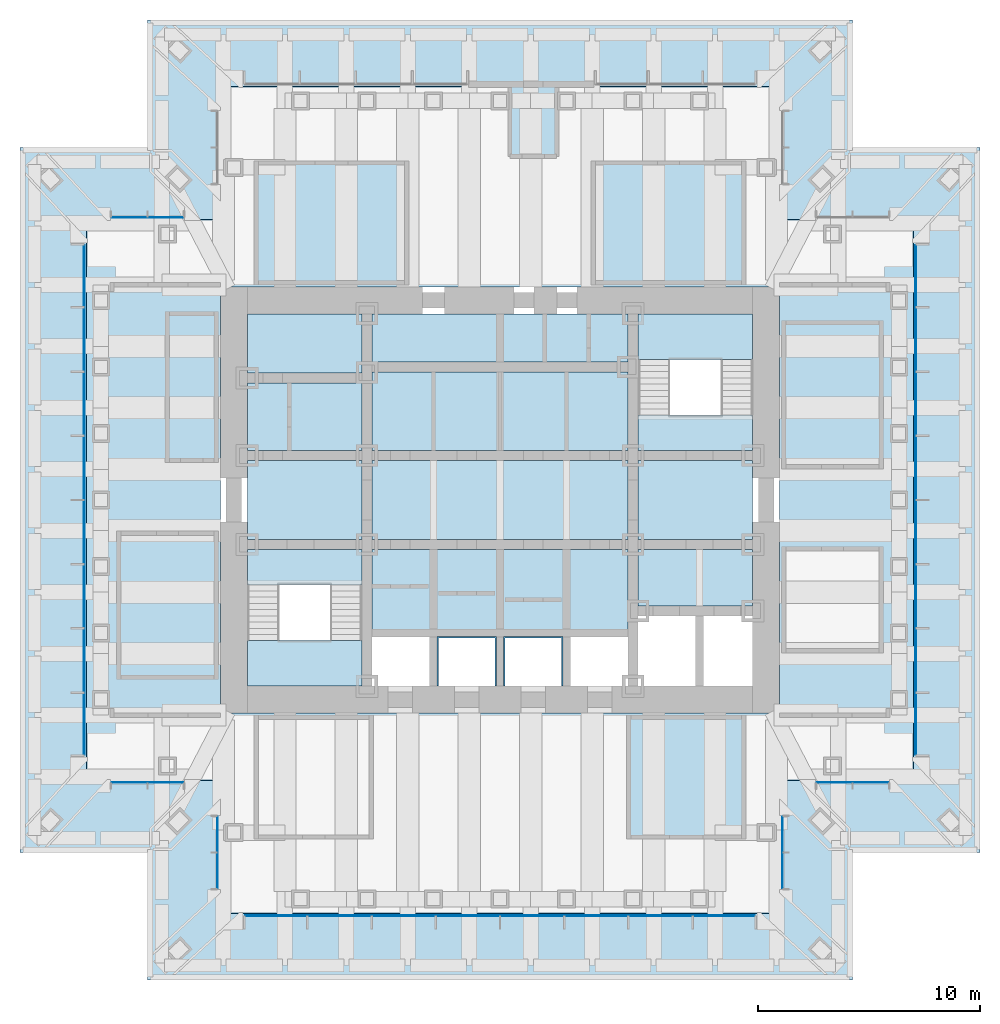
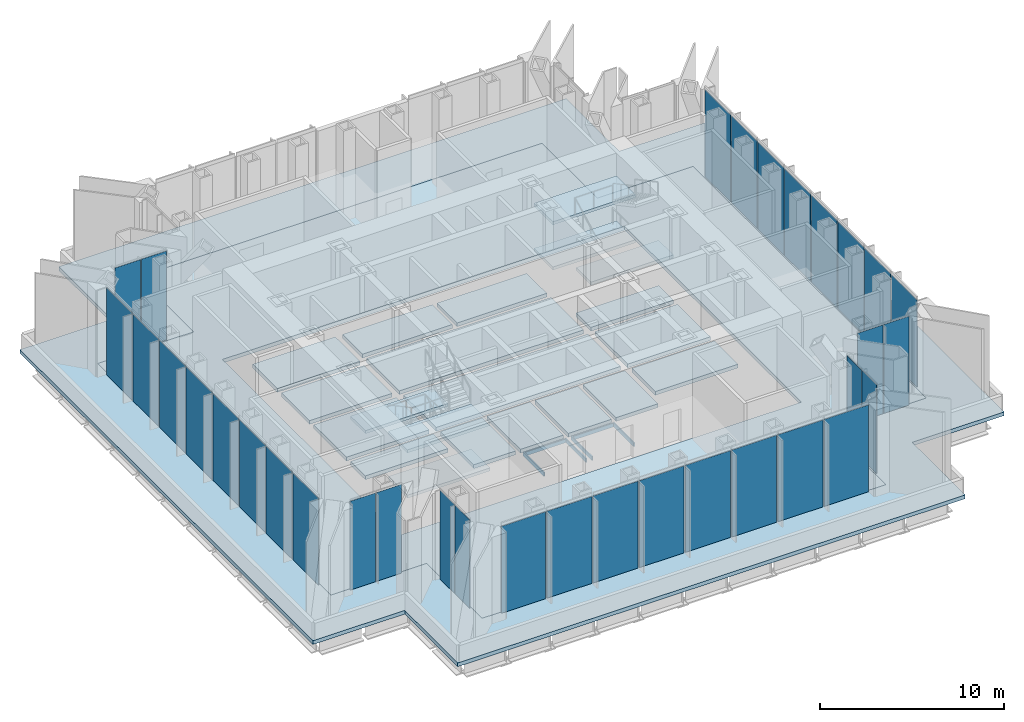
# One storey, part 7 of 13: 34 plates, 25 slabs, 10 elements without a shape of their own.
"""IFC4 building model written with IfcOpenShell, lengths in metres."""

from ifc_helpers import new_model, si_unit, direction, frame, origin, origin_2d, place, context, subcontext, project, spatial, polyline, rectangle, outline, extrude, material, layer, layer_set, type_object, element, aggregate, save


model = new_model("IFC4")

# Units and contexts
model_context = context("Model", 3, precision=1e-05, world=origin(), true_north=direction((0.0, 1.0)))
body_context = subcontext(model_context, "Body", "Model", "MODEL_VIEW")
ifc_project = project(units=[si_unit("LENGTHUNIT", "METRE"), si_unit("AREAUNIT", "SQUARE_METRE"), si_unit("VOLUMEUNIT", "CUBIC_METRE"), si_unit("PLANEANGLEUNIT", "RADIAN"), si_unit("MASSUNIT", "GRAM", prefix="KILO")], contexts=[model_context])

# Site, building, storey
site_placement = place(None, origin())
site = spatial("IfcSite", under=ifc_project, at=site_placement, CompositionType="ELEMENT")
building_placement = place(site_placement, origin())
building = spatial("IfcBuilding", under=site, at=building_placement, Name="Daluyong Arena Tower", CompositionType="ELEMENT")
storey_placement = place(building_placement, frame((0.0, 0.0, 279.699951171875)))
storey = spatial("IfcBuildingStorey", under=building, at=storey_placement, Name="L63", CompositionType="ELEMENT", Elevation=279.699951171875)

# Curtain wall, plates
ifc_material_1 = material(Name="Bronze anodised aluminium and glass", Category="aluminium")
curtain_wall_type_1 = type_object("IfcCurtainWallType", Name="Curtain wall CW5", PredefinedType="USERDEFINED", material=ifc_material_1)
curtain_wall_1_placement = place(storey_placement, origin())
curtain_wall_1 = element("IfcCurtainWall", 1, at=curtain_wall_1_placement, inside=storey, type_object=curtain_wall_type_1, Name="curtain wall L63 S", ObjectType="UNITISED CURTAIN WALL", PredefinedType="USERDEFINED")
ifc_material_2 = material(Name="Clear laminated double glazed unit", Category="glass")
ifc_layer_1 = layer(ifc_material_2, 0.0400390625)
ifc_layer_set_1 = layer_set([ifc_layer_1], Name="Clear laminated double glazed unit")
plate_type_1 = type_object("IfcPlateType", Name="CW5 panel 40", PredefinedType="CURTAIN_PANEL", material=ifc_layer_set_1)
plate_1_placement = place(storey_placement, frame((45.88525390625, 61.25, 0.0), z_axis=(0.0, 0.0, 1.0), x_axis=(1.0, 0.0, 0.0)))
plate_1 = element("IfcPlate", 2, at=plate_1_placement, type_object=plate_type_1, Name="curtain wall L63 S panel 1", PredefinedType="CURTAIN_PANEL", context=body_context, shape_type="SweptSolid", body=[
    extrude(rectangle(XDim=2.761474609375, YDim=0.0400390625, at=origin_2d()), origin(), (0.0, 0.0, 1.0), 5.760009765625),
])
plate_2_placement = place(storey_placement, frame((48.759033203125, 61.25, 0.0), z_axis=(0.0, 0.0, 1.0), x_axis=(1.0, 0.0, 0.0)))
plate_2 = element("IfcPlate", 3, at=plate_2_placement, type_object=plate_type_1, Name="curtain wall L63 S panel 2", PredefinedType="CURTAIN_PANEL", context=body_context, shape_type="SweptSolid", body=[
    extrude(rectangle(XDim=2.806396484375, YDim=0.0400390625, at=origin_2d()), origin(), (0.0, 0.0, 1.0), 5.760009765625),
])
plate_3_placement = place(storey_placement, frame((51.655517578125, 61.25, 0.0), z_axis=(0.0, 0.0, 1.0), x_axis=(1.0, 0.0, 0.0)))
plate_3 = element("IfcPlate", 4, at=plate_3_placement, type_object=plate_type_1, Name="curtain wall L63 S panel 3", PredefinedType="CURTAIN_PANEL", context=body_context, shape_type="SweptSolid", body=[
    extrude(rectangle(XDim=2.806396484375, YDim=0.0400390625, at=origin_2d()), origin(), (0.0, 0.0, 1.0), 5.760009765625),
])
plate_4_placement = place(storey_placement, frame((54.5517578125, 61.25, 0.0), z_axis=(0.0, 0.0, 1.0), x_axis=(1.0, 0.0, 0.0)))
plate_4 = element("IfcPlate", 5, at=plate_4_placement, type_object=plate_type_1, Name="curtain wall L63 S panel 4", PredefinedType="CURTAIN_PANEL", context=body_context, shape_type="SweptSolid", body=[
    extrude(rectangle(XDim=2.806396484375, YDim=0.0400390625, at=origin_2d()), origin(), (0.0, 0.0, 1.0), 5.760009765625),
])
plate_5_placement = place(storey_placement, frame((57.4482421875, 61.25, 0.0), z_axis=(0.0, 0.0, 1.0), x_axis=(1.0, 0.0, 0.0)))
plate_5 = element("IfcPlate", 6, at=plate_5_placement, type_object=plate_type_1, Name="curtain wall L63 S panel 5", PredefinedType="CURTAIN_PANEL", context=body_context, shape_type="SweptSolid", body=[
    extrude(rectangle(XDim=2.806396484375, YDim=0.0400390625, at=origin_2d()), origin(), (0.0, 0.0, 1.0), 5.760009765625),
])
plate_6_placement = place(storey_placement, frame((60.344482421875, 61.25, 0.0), z_axis=(0.0, 0.0, 1.0), x_axis=(1.0, 0.0, 0.0)))
plate_6 = element("IfcPlate", 7, at=plate_6_placement, type_object=plate_type_1, Name="curtain wall L63 S panel 6", PredefinedType="CURTAIN_PANEL", context=body_context, shape_type="SweptSolid", body=[
    extrude(rectangle(XDim=2.806396484375, YDim=0.0400390625, at=origin_2d()), origin(), (0.0, 0.0, 1.0), 5.760009765625),
])
plate_7_placement = place(storey_placement, frame((63.240966796875, 61.25, 0.0), z_axis=(0.0, 0.0, 1.0), x_axis=(1.0, 0.0, 0.0)))
plate_7 = element("IfcPlate", 8, at=plate_7_placement, type_object=plate_type_1, Name="curtain wall L63 S panel 7", PredefinedType="CURTAIN_PANEL", context=body_context, shape_type="SweptSolid", body=[
    extrude(rectangle(XDim=2.806396484375, YDim=0.0400390625, at=origin_2d()), origin(), (0.0, 0.0, 1.0), 5.760009765625),
])
plate_8_placement = place(storey_placement, frame((66.11474609375, 61.25, 0.0), z_axis=(0.0, 0.0, 1.0), x_axis=(1.0, 0.0, 0.0)))
plate_8 = element("IfcPlate", 9, at=plate_8_placement, type_object=plate_type_1, Name="curtain wall L63 S panel 8", PredefinedType="CURTAIN_PANEL", context=body_context, shape_type="SweptSolid", body=[
    extrude(rectangle(XDim=2.761474609375, YDim=0.0400390625, at=origin_2d()), origin(), (0.0, 0.0, 1.0), 5.760009765625),
])
aggregate(curtain_wall_1, [plate_1, plate_2, plate_3, plate_4, plate_5, plate_6, plate_7, plate_8])

curtain_wall_2_placement = place(storey_placement, origin())
curtain_wall_2 = element("IfcCurtainWall", 10, at=curtain_wall_2_placement, inside=storey, type_object=curtain_wall_type_1, Name="curtain wall L63 E", ObjectType="UNITISED CURTAIN WALL", PredefinedType="USERDEFINED")
plate_9_placement = place(storey_placement, frame((74.75, 69.88525390625, 0.0), z_axis=(0.0, 0.0, 1.0), x_axis=(0.0, 1.0, 0.0)))
plate_9 = element("IfcPlate", 11, at=plate_9_placement, type_object=plate_type_1, Name="curtain wall L63 E panel 1", PredefinedType="CURTAIN_PANEL", context=body_context, shape_type="SweptSolid", body=[
    extrude(rectangle(XDim=2.761474609375, YDim=0.0400390625, at=origin_2d()), origin(), (0.0, 0.0, 1.0), 5.760009765625),
])
plate_10_placement = place(storey_placement, frame((74.75, 72.759033203125, 0.0), z_axis=(0.0, 0.0, 1.0), x_axis=(0.0, 1.0, 0.0)))
plate_10 = element("IfcPlate", 12, at=plate_10_placement, type_object=plate_type_1, Name="curtain wall L63 E panel 2", PredefinedType="CURTAIN_PANEL", context=body_context, shape_type="SweptSolid", body=[
    extrude(rectangle(XDim=2.806396484375, YDim=0.0400390625, at=origin_2d()), origin(), (0.0, 0.0, 1.0), 5.760009765625),
])
plate_11_placement = place(storey_placement, frame((74.75, 75.655517578125, 0.0), z_axis=(0.0, 0.0, 1.0), x_axis=(0.0, 1.0, 0.0)))
plate_11 = element("IfcPlate", 13, at=plate_11_placement, type_object=plate_type_1, Name="curtain wall L63 E panel 3", PredefinedType="CURTAIN_PANEL", context=body_context, shape_type="SweptSolid", body=[
    extrude(rectangle(XDim=2.806396484375, YDim=0.0400390625, at=origin_2d()), origin(), (0.0, 0.0, 1.0), 5.760009765625),
])
plate_12_placement = place(storey_placement, frame((74.75, 78.5517578125, 0.0), z_axis=(0.0, 0.0, 1.0), x_axis=(0.0, 1.0, 0.0)))
plate_12 = element("IfcPlate", 14, at=plate_12_placement, type_object=plate_type_1, Name="curtain wall L63 E panel 4", PredefinedType="CURTAIN_PANEL", context=body_context, shape_type="SweptSolid", body=[
    extrude(rectangle(XDim=2.806396484375, YDim=0.0400390625, at=origin_2d()), origin(), (0.0, 0.0, 1.0), 5.760009765625),
])
plate_13_placement = place(storey_placement, frame((74.75, 81.4482421875, 0.0), z_axis=(0.0, 0.0, 1.0), x_axis=(0.0, 1.0, 0.0)))
plate_13 = element("IfcPlate", 15, at=plate_13_placement, type_object=plate_type_1, Name="curtain wall L63 E panel 5", PredefinedType="CURTAIN_PANEL", context=body_context, shape_type="SweptSolid", body=[
    extrude(rectangle(XDim=2.806396484375, YDim=0.0400390625, at=origin_2d()), origin(), (0.0, 0.0, 1.0), 5.760009765625),
])
plate_14_placement = place(storey_placement, frame((74.75, 84.344482421875, 0.0), z_axis=(0.0, 0.0, 1.0), x_axis=(0.0, 1.0, 0.0)))
plate_14 = element("IfcPlate", 16, at=plate_14_placement, type_object=plate_type_1, Name="curtain wall L63 E panel 6", PredefinedType="CURTAIN_PANEL", context=body_context, shape_type="SweptSolid", body=[
    extrude(rectangle(XDim=2.806396484375, YDim=0.0400390625, at=origin_2d()), origin(), (0.0, 0.0, 1.0), 5.760009765625),
])
plate_15_placement = place(storey_placement, frame((74.75, 87.240966796875, 0.0), z_axis=(0.0, 0.0, 1.0), x_axis=(0.0, 1.0, 0.0)))
plate_15 = element("IfcPlate", 17, at=plate_15_placement, type_object=plate_type_1, Name="curtain wall L63 E panel 7", PredefinedType="CURTAIN_PANEL", context=body_context, shape_type="SweptSolid", body=[
    extrude(rectangle(XDim=2.806396484375, YDim=0.0400390625, at=origin_2d()), origin(), (0.0, 0.0, 1.0), 5.760009765625),
])
plate_16_placement = place(storey_placement, frame((74.75, 90.11474609375, 0.0), z_axis=(0.0, 0.0, 1.0), x_axis=(0.0, 1.0, 0.0)))
plate_16 = element("IfcPlate", 18, at=plate_16_placement, type_object=plate_type_1, Name="curtain wall L63 E panel 8", PredefinedType="CURTAIN_PANEL", context=body_context, shape_type="SweptSolid", body=[
    extrude(rectangle(XDim=2.761474609375, YDim=0.0400390625, at=origin_2d()), origin(), (0.0, 0.0, 1.0), 5.760009765625),
])
aggregate(curtain_wall_2, [plate_9, plate_10, plate_11, plate_12, plate_13, plate_14, plate_15, plate_16])

curtain_wall_3_placement = place(storey_placement, origin())
curtain_wall_3 = element("IfcCurtainWall", 19, at=curtain_wall_3_placement, inside=storey, type_object=curtain_wall_type_1, Name="curtain wall L63 W", ObjectType="UNITISED CURTAIN WALL", PredefinedType="USERDEFINED")
plate_17_placement = place(storey_placement, frame((37.25, 90.11474609375, 0.0), z_axis=(0.0, 0.0, 1.0), x_axis=(0.0, -1.0, 0.0)))
plate_17 = element("IfcPlate", 20, at=plate_17_placement, type_object=plate_type_1, Name="curtain wall L63 W panel 1", PredefinedType="CURTAIN_PANEL", context=body_context, shape_type="SweptSolid", body=[
    extrude(rectangle(XDim=2.761474609375, YDim=0.0400390625, at=origin_2d()), origin(), (0.0, 0.0, 1.0), 5.760009765625),
])
plate_18_placement = place(storey_placement, frame((37.25, 87.240966796875, 0.0), z_axis=(0.0, 0.0, 1.0), x_axis=(0.0, -1.0, 0.0)))
plate_18 = element("IfcPlate", 21, at=plate_18_placement, type_object=plate_type_1, Name="curtain wall L63 W panel 2", PredefinedType="CURTAIN_PANEL", context=body_context, shape_type="SweptSolid", body=[
    extrude(rectangle(XDim=2.806396484375, YDim=0.0400390625, at=origin_2d()), origin(), (0.0, 0.0, 1.0), 5.760009765625),
])
plate_19_placement = place(storey_placement, frame((37.25, 84.344482421875, 0.0), z_axis=(0.0, 0.0, 1.0), x_axis=(0.0, -1.0, 0.0)))
plate_19 = element("IfcPlate", 22, at=plate_19_placement, type_object=plate_type_1, Name="curtain wall L63 W panel 3", PredefinedType="CURTAIN_PANEL", context=body_context, shape_type="SweptSolid", body=[
    extrude(rectangle(XDim=2.806396484375, YDim=0.0400390625, at=origin_2d()), origin(), (0.0, 0.0, 1.0), 5.760009765625),
])
plate_20_placement = place(storey_placement, frame((37.25, 81.4482421875, 0.0), z_axis=(0.0, 0.0, 1.0), x_axis=(0.0, -1.0, 0.0)))
plate_20 = element("IfcPlate", 23, at=plate_20_placement, type_object=plate_type_1, Name="curtain wall L63 W panel 4", PredefinedType="CURTAIN_PANEL", context=body_context, shape_type="SweptSolid", body=[
    extrude(rectangle(XDim=2.806396484375, YDim=0.0400390625, at=origin_2d()), origin(), (0.0, 0.0, 1.0), 5.760009765625),
])
plate_21_placement = place(storey_placement, frame((37.25, 78.5517578125, 0.0), z_axis=(0.0, 0.0, 1.0), x_axis=(0.0, -1.0, 0.0)))
plate_21 = element("IfcPlate", 24, at=plate_21_placement, type_object=plate_type_1, Name="curtain wall L63 W panel 5", PredefinedType="CURTAIN_PANEL", context=body_context, shape_type="SweptSolid", body=[
    extrude(rectangle(XDim=2.806396484375, YDim=0.0400390625, at=origin_2d()), origin(), (0.0, 0.0, 1.0), 5.760009765625),
])
plate_22_placement = place(storey_placement, frame((37.25, 75.655517578125, 0.0), z_axis=(0.0, 0.0, 1.0), x_axis=(0.0, -1.0, 0.0)))
plate_22 = element("IfcPlate", 25, at=plate_22_placement, type_object=plate_type_1, Name="curtain wall L63 W panel 6", PredefinedType="CURTAIN_PANEL", context=body_context, shape_type="SweptSolid", body=[
    extrude(rectangle(XDim=2.806396484375, YDim=0.0400390625, at=origin_2d()), origin(), (0.0, 0.0, 1.0), 5.760009765625),
])
plate_23_placement = place(storey_placement, frame((37.25, 72.759033203125, 0.0), z_axis=(0.0, 0.0, 1.0), x_axis=(0.0, -1.0, 0.0)))
plate_23 = element("IfcPlate", 26, at=plate_23_placement, type_object=plate_type_1, Name="curtain wall L63 W panel 7", PredefinedType="CURTAIN_PANEL", context=body_context, shape_type="SweptSolid", body=[
    extrude(rectangle(XDim=2.806396484375, YDim=0.0400390625, at=origin_2d()), origin(), (0.0, 0.0, 1.0), 5.760009765625),
])
plate_24_placement = place(storey_placement, frame((37.25, 69.88525390625, 0.0), z_axis=(0.0, 0.0, 1.0), x_axis=(0.0, -1.0, 0.0)))
plate_24 = element("IfcPlate", 27, at=plate_24_placement, type_object=plate_type_1, Name="curtain wall L63 W panel 8", PredefinedType="CURTAIN_PANEL", context=body_context, shape_type="SweptSolid", body=[
    extrude(rectangle(XDim=2.761474609375, YDim=0.0400390625, at=origin_2d()), origin(), (0.0, 0.0, 1.0), 5.760009765625),
])
aggregate(curtain_wall_3, [plate_17, plate_18, plate_19, plate_20, plate_21, plate_22, plate_23, plate_24])

ifc_material_3 = material(Name="Bronze anodised aluminium and glass", Category="aluminium")
curtain_wall_type_2 = type_object("IfcCurtainWallType", Name="Curtain wall CW7", PredefinedType="USERDEFINED", material=ifc_material_3)
curtain_wall_4_placement = place(storey_placement, origin())
curtain_wall_4 = element("IfcCurtainWall", 28, at=curtain_wall_4_placement, inside=storey, type_object=curtain_wall_type_2, Name="curtain wall L63 SE-E", ObjectType="UNITISED CURTAIN WALL", PredefinedType="USERDEFINED")
ifc_material_4 = material(Name="Tinted double glazed unit", Category="glass")
ifc_layer_2 = layer(ifc_material_4, 0.028076171875)
ifc_layer_set_2 = layer_set([ifc_layer_2], Name="Tinted double glazed unit")
plate_type_2 = type_object("IfcPlateType", Name="CW7 panel 28", PredefinedType="CURTAIN_PANEL", material=ifc_layer_set_2)
plate_25_placement = place(storey_placement, frame((68.75, 63.281494140625, 0.0), z_axis=(0.0, 0.0, 1.0), x_axis=(0.0, 1.0, 0.0)))
plate_25 = element("IfcPlate", 29, at=plate_25_placement, type_object=plate_type_2, Name="curtain wall L63 SE-E panel 1", PredefinedType="CURTAIN_PANEL", context=body_context, shape_type="SweptSolid", body=[
    extrude(rectangle(XDim=1.584228515625, YDim=0.028076171875, at=origin_2d()), origin(), (0.0, 0.0, 1.0), 5.8798828125),
])
plate_26_placement = place(storey_placement, frame((68.75, 64.92578125, 0.0), z_axis=(0.0, 0.0, 1.0), x_axis=(0.0, 1.0, 0.0)))
plate_26 = element("IfcPlate", 30, at=plate_26_placement, type_object=plate_type_2, Name="curtain wall L63 SE-E panel 2", PredefinedType="CURTAIN_PANEL", context=body_context, shape_type="SweptSolid", body=[
    extrude(rectangle(XDim=1.584228515625, YDim=0.028076171875, at=origin_2d()), origin(), (0.0, 0.0, 1.0), 5.8798828125),
])
aggregate(curtain_wall_4, [plate_25, plate_26])

curtain_wall_5_placement = place(storey_placement, origin())
curtain_wall_5 = element("IfcCurtainWall", 31, at=curtain_wall_5_placement, inside=storey, type_object=curtain_wall_type_2, Name="curtain wall L63 SE-S", ObjectType="UNITISED CURTAIN WALL", PredefinedType="USERDEFINED")
plate_27_placement = place(storey_placement, frame((71.07421875, 67.25, 0.0), z_axis=(0.0, 0.0, 1.0), x_axis=(1.0, 0.0, 0.0)))
plate_27 = element("IfcPlate", 32, at=plate_27_placement, type_object=plate_type_2, Name="curtain wall L63 SE-S panel 1", PredefinedType="CURTAIN_PANEL", context=body_context, shape_type="SweptSolid", body=[
    extrude(rectangle(XDim=1.584228515625, YDim=0.028076171875, at=origin_2d()), origin(), (0.0, 0.0, 1.0), 5.8798828125),
])
plate_28_placement = place(storey_placement, frame((72.718505859375, 67.25, 0.0), z_axis=(0.0, 0.0, 1.0), x_axis=(1.0, 0.0, 0.0)))
plate_28 = element("IfcPlate", 33, at=plate_28_placement, type_object=plate_type_2, Name="curtain wall L63 SE-S panel 2", PredefinedType="CURTAIN_PANEL", context=body_context, shape_type="SweptSolid", body=[
    extrude(rectangle(XDim=1.584228515625, YDim=0.028076171875, at=origin_2d()), origin(), (0.0, 0.0, 1.0), 5.8798828125),
])
aggregate(curtain_wall_5, [plate_27, plate_28])

curtain_wall_6_placement = place(storey_placement, origin())
curtain_wall_6 = element("IfcCurtainWall", 34, at=curtain_wall_6_placement, inside=storey, type_object=curtain_wall_type_2, Name="curtain wall L63 NW-N", ObjectType="UNITISED CURTAIN WALL", PredefinedType="USERDEFINED")
plate_29_placement = place(storey_placement, frame((40.92578125, 92.75, 0.0), z_axis=(0.0, 0.0, 1.0), x_axis=(-1.0, 0.0, 0.0)))
plate_29 = element("IfcPlate", 35, at=plate_29_placement, type_object=plate_type_2, Name="curtain wall L63 NW-N panel 1", PredefinedType="CURTAIN_PANEL", context=body_context, shape_type="SweptSolid", body=[
    extrude(rectangle(XDim=1.584228515625, YDim=0.028076171875, at=origin_2d()), origin(), (0.0, 0.0, 1.0), 5.8798828125),
])
plate_30_placement = place(storey_placement, frame((39.281494140625, 92.75, 0.0), z_axis=(0.0, 0.0, 1.0), x_axis=(-1.0, 0.0, 0.0)))
plate_30 = element("IfcPlate", 36, at=plate_30_placement, type_object=plate_type_2, Name="curtain wall L63 NW-N panel 2", PredefinedType="CURTAIN_PANEL", context=body_context, shape_type="SweptSolid", body=[
    extrude(rectangle(XDim=1.584228515625, YDim=0.028076171875, at=origin_2d()), origin(), (0.0, 0.0, 1.0), 5.8798828125),
])
aggregate(curtain_wall_6, [plate_29, plate_30])

curtain_wall_7_placement = place(storey_placement, origin())
curtain_wall_7 = element("IfcCurtainWall", 37, at=curtain_wall_7_placement, inside=storey, type_object=curtain_wall_type_2, Name="curtain wall L63 SW-S", ObjectType="UNITISED CURTAIN WALL", PredefinedType="USERDEFINED")
plate_31_placement = place(storey_placement, frame((39.281494140625, 67.25, 0.0), z_axis=(0.0, 0.0, 1.0), x_axis=(1.0, 0.0, 0.0)))
plate_31 = element("IfcPlate", 38, at=plate_31_placement, type_object=plate_type_2, Name="curtain wall L63 SW-S panel 1", PredefinedType="CURTAIN_PANEL", context=body_context, shape_type="SweptSolid", body=[
    extrude(rectangle(XDim=1.584228515625, YDim=0.028076171875, at=origin_2d()), origin(), (0.0, 0.0, 1.0), 5.8798828125),
])
plate_32_placement = place(storey_placement, frame((40.92578125, 67.25, 0.0), z_axis=(0.0, 0.0, 1.0), x_axis=(1.0, 0.0, 0.0)))
plate_32 = element("IfcPlate", 39, at=plate_32_placement, type_object=plate_type_2, Name="curtain wall L63 SW-S panel 2", PredefinedType="CURTAIN_PANEL", context=body_context, shape_type="SweptSolid", body=[
    extrude(rectangle(XDim=1.584228515625, YDim=0.028076171875, at=origin_2d()), origin(), (0.0, 0.0, 1.0), 5.8798828125),
])
aggregate(curtain_wall_7, [plate_31, plate_32])

curtain_wall_8_placement = place(storey_placement, origin())
curtain_wall_8 = element("IfcCurtainWall", 40, at=curtain_wall_8_placement, inside=storey, type_object=curtain_wall_type_2, Name="curtain wall L63 SW-W", ObjectType="UNITISED CURTAIN WALL", PredefinedType="USERDEFINED")
plate_33_placement = place(storey_placement, frame((43.25, 64.92578125, 0.0), z_axis=(0.0, 0.0, 1.0), x_axis=(0.0, -1.0, 0.0)))
plate_33 = element("IfcPlate", 41, at=plate_33_placement, type_object=plate_type_2, Name="curtain wall L63 SW-W panel 1", PredefinedType="CURTAIN_PANEL", context=body_context, shape_type="SweptSolid", body=[
    extrude(rectangle(XDim=1.584228515625, YDim=0.028076171875, at=origin_2d()), origin(), (0.0, 0.0, 1.0), 5.8798828125),
])
plate_34_placement = place(storey_placement, frame((43.25, 63.281494140625, 0.0), z_axis=(0.0, 0.0, 1.0), x_axis=(0.0, -1.0, 0.0)))
plate_34 = element("IfcPlate", 42, at=plate_34_placement, type_object=plate_type_2, Name="curtain wall L63 SW-W panel 2", PredefinedType="CURTAIN_PANEL", context=body_context, shape_type="SweptSolid", body=[
    extrude(rectangle(XDim=1.584228515625, YDim=0.028076171875, at=origin_2d()), origin(), (0.0, 0.0, 1.0), 5.8798828125),
])
aggregate(curtain_wall_8, [plate_33, plate_34])

# Slabs
ifc_material_5 = material(Name="Concrete fc' 35 MPa", Category="concrete")
ifc_layer_3 = layer(ifc_material_5, 0.25)
ifc_layer_set_3 = layer_set([ifc_layer_3], Name="Concrete fc' 35 MPa")
slab_type_1 = type_object("IfcSlabType", Name="Plant floor slab 250", PredefinedType="FLOOR", material=ifc_layer_set_3)
slab_1_placement = place(storey_placement, frame((0.0, 0.0, -0.25)))
element("IfcSlab", 43, at=slab_1_placement, inside=storey, type_object=slab_type_1, Name="floor L63 part 1", PredefinedType="FLOOR", context=body_context, shape_type="SweptSolid", body=[
    extrude(outline(polyline([(49.77490234375, 77.77490234375), (44.60009765625, 77.77490234375), (44.60009765625, 76.175048828125), (49.77490234375, 76.175048828125), (49.77490234375, 77.77490234375)])), origin(), (0.0, 0.0, 1.0), 0.25),
])
slab_2_placement = place(storey_placement, frame((0.0, 0.0, -0.25)))
element("IfcSlab", 44, at=slab_2_placement, inside=storey, type_object=slab_type_1, Name="floor L63 part 2", PredefinedType="FLOOR", context=body_context, shape_type="SweptSolid", body=[
    extrude(outline(polyline([(49.77490234375, 78.22509765625), (49.77490234375, 81.77490234375), (44.60009765625, 81.77490234375), (44.60009765625, 78.22509765625), (49.77490234375, 78.22509765625)])), origin(), (0.0, 0.0, 1.0), 0.25),
])
slab_3_placement = place(storey_placement, frame((0.0, 0.0, -0.25)))
element("IfcSlab", 45, at=slab_3_placement, inside=storey, type_object=slab_type_1, Name="floor L63 part 3", PredefinedType="FLOOR", context=body_context, shape_type="SweptSolid", body=[
    extrude(outline(polyline([(44.60009765625, 85.27490234375), (44.60009765625, 82.22509765625), (49.77490234375, 82.22509765625), (49.77490234375, 85.27490234375), (44.60009765625, 85.27490234375)])), origin(), (0.0, 0.0, 1.0), 0.25),
])
slab_4_placement = place(storey_placement, frame((0.0, 0.0, -0.25)))
element("IfcSlab", 46, at=slab_4_placement, inside=storey, type_object=slab_type_1, Name="floor L63 part 4", PredefinedType="FLOOR", context=body_context, shape_type="SweptSolid", body=[
    extrude(outline(polyline([(44.60009765625, 88.39990234375), (44.60009765625, 85.72509765625), (49.77490234375, 85.72509765625), (49.77490234375, 88.39990234375), (44.60009765625, 88.39990234375)])), origin(), (0.0, 0.0, 1.0), 0.25),
])
slab_5_placement = place(storey_placement, frame((0.0, 0.0, -0.25)))
element("IfcSlab", 47, at=slab_5_placement, inside=storey, type_object=slab_type_1, Name="floor L63 part 5", PredefinedType="FLOOR", context=body_context, shape_type="SweptSolid", body=[
    extrude(outline(polyline([(52.85009765625, 74.14990234375), (52.85009765625, 77.77490234375), (50.22509765625, 77.77490234375), (50.22509765625, 74.14990234375), (52.85009765625, 74.14990234375)])), origin(), (0.0, 0.0, 1.0), 0.25),
])
slab_6_placement = place(storey_placement, frame((0.0, 0.0, -0.25)))
element("IfcSlab", 48, at=slab_6_placement, inside=storey, type_object=slab_type_1, Name="floor L63 part 6", PredefinedType="FLOOR", context=body_context, shape_type="SweptSolid", body=[
    extrude(outline(polyline([(50.22509765625, 88.39990234375), (50.22509765625, 86.22509765625), (55.85009765625, 86.22509765625), (55.85009765625, 88.39990234375), (50.22509765625, 88.39990234375)])), origin(), (0.0, 0.0, 1.0), 0.25),
])
slab_7_placement = place(storey_placement, frame((0.0, 0.0, -0.25)))
element("IfcSlab", 49, at=slab_7_placement, inside=storey, type_object=slab_type_1, Name="floor L63 part 7", PredefinedType="FLOOR", context=body_context, shape_type="SweptSolid", body=[
    extrude(outline(polyline([(53.22509765625, 71.60009765625), (53.22509765625, 73.77490234375), (55.77490234375, 73.77490234375), (55.77490234375, 71.60009765625), (55.85009765625, 71.60009765625), (55.85009765625, 73.85009765625), (53.14990234375, 73.85009765625), (53.14990234375, 71.60009765625), (53.22509765625, 71.60009765625)])), origin(), (0.0, 0.0, 1.0), 0.25),
])
slab_8_placement = place(storey_placement, frame((0.0, 0.0, -0.25)))
element("IfcSlab", 50, at=slab_8_placement, inside=storey, type_object=slab_type_1, Name="floor L63 part 8", PredefinedType="FLOOR", context=body_context, shape_type="SweptSolid", body=[
    extrude(outline(polyline([(53.14990234375, 74.14990234375), (55.85009765625, 74.14990234375), (55.85009765625, 77.77490234375), (53.14990234375, 77.77490234375), (53.14990234375, 74.14990234375)])), origin(), (0.0, 0.0, 1.0), 0.25),
])
slab_9_placement = place(storey_placement, frame((0.0, 0.0, -0.25)))
element("IfcSlab", 51, at=slab_9_placement, inside=storey, type_object=slab_type_1, Name="floor L63 part 9", PredefinedType="FLOOR", context=body_context, shape_type="SweptSolid", body=[
    extrude(outline(polyline([(43.35009765625, 67.35009765625), (43.35009765625, 61.35009765625), (68.64990234375, 61.35009765625), (68.64990234375, 67.35009765625), (74.64990234375, 67.35009765625), (74.64990234375, 92.64990234375), (68.64990234375, 92.64990234375), (68.64990234375, 98.64990234375), (43.35009765625, 98.64990234375), (43.35009765625, 92.64990234375), (37.35009765625, 92.64990234375), (37.35009765625, 67.35009765625), (43.35009765625, 67.35009765625)]), holes=[polyline([(68.60009765625, 89.60009765625), (68.60009765625, 70.39990234375), (43.39990234375, 70.39990234375), (43.39990234375, 89.60009765625), (68.60009765625, 89.60009765625)])]), origin(), (0.0, 0.0, 1.0), 0.25),
])
slab_10_placement = place(storey_placement, frame((0.0, 0.0, -0.25)))
element("IfcSlab", 52, at=slab_10_placement, inside=storey, type_object=slab_type_1, Name="floor L63 part 10", PredefinedType="FLOOR", context=body_context, shape_type="SweptSolid", body=[
    extrude(outline(polyline([(50.22509765625, 81.77490234375), (50.22509765625, 78.22509765625), (61.77490234375, 78.22509765625), (61.77490234375, 81.77490234375), (50.22509765625, 81.77490234375)])), origin(), (0.0, 0.0, 1.0), 0.25),
])
slab_11_placement = place(storey_placement, frame((0.0, 0.0, -0.25)))
element("IfcSlab", 53, at=slab_11_placement, inside=storey, type_object=slab_type_1, Name="floor L63 part 11", PredefinedType="FLOOR", context=body_context, shape_type="SweptSolid", body=[
    extrude(outline(polyline([(50.22509765625, 85.77490234375), (50.22509765625, 82.22509765625), (61.77490234375, 82.22509765625), (61.77490234375, 85.77490234375), (50.22509765625, 85.77490234375)])), origin(), (0.0, 0.0, 1.0), 0.25),
])
slab_12_placement = place(storey_placement, frame((0.0, 0.0, -0.25)))
element("IfcSlab", 54, at=slab_12_placement, inside=storey, type_object=slab_type_1, Name="floor L63 part 12", PredefinedType="FLOOR", context=body_context, shape_type="SweptSolid", body=[
    extrude(outline(polyline([(56.22509765625, 71.60009765625), (56.22509765625, 73.77490234375), (58.77490234375, 73.77490234375), (58.77490234375, 71.60009765625), (58.85009765625, 71.60009765625), (58.85009765625, 73.85009765625), (56.14990234375, 73.85009765625), (56.14990234375, 71.60009765625), (56.22509765625, 71.60009765625)])), origin(), (0.0, 0.0, 1.0), 0.25),
])
slab_13_placement = place(storey_placement, frame((0.0, 0.0, -0.25)))
element("IfcSlab", 55, at=slab_13_placement, inside=storey, type_object=slab_type_1, Name="floor L63 part 13", PredefinedType="FLOOR", context=body_context, shape_type="SweptSolid", body=[
    extrude(outline(polyline([(58.85009765625, 77.77490234375), (56.14990234375, 77.77490234375), (56.14990234375, 74.14990234375), (58.85009765625, 74.14990234375), (58.85009765625, 77.77490234375)])), origin(), (0.0, 0.0, 1.0), 0.25),
])
slab_14_placement = place(storey_placement, frame((0.0, 0.0, -0.25)))
element("IfcSlab", 56, at=slab_14_placement, inside=storey, type_object=slab_type_1, Name="floor L63 part 14", PredefinedType="FLOOR", context=body_context, shape_type="SweptSolid", body=[
    extrude(outline(polyline([(56.14990234375, 88.39990234375), (56.14990234375, 86.22509765625), (61.77490234375, 86.22509765625), (61.77490234375, 88.39990234375), (56.14990234375, 88.39990234375)])), origin(), (0.0, 0.0, 1.0), 0.25),
])
slab_15_placement = place(storey_placement, frame((0.0, 0.0, -0.25)))
element("IfcSlab", 57, at=slab_15_placement, inside=storey, type_object=slab_type_1, Name="floor L63 part 15", PredefinedType="FLOOR", context=body_context, shape_type="SweptSolid", body=[
    extrude(outline(polyline([(61.77490234375, 77.77490234375), (59.14990234375, 77.77490234375), (59.14990234375, 74.14990234375), (61.77490234375, 74.14990234375), (61.77490234375, 77.77490234375)])), origin(), (0.0, 0.0, 1.0), 0.25),
])
slab_16_placement = place(storey_placement, frame((0.0, 0.0, -0.25)))
element("IfcSlab", 58, at=slab_16_placement, inside=storey, type_object=slab_type_1, Name="floor L63 part 16", PredefinedType="FLOOR", context=body_context, shape_type="SweptSolid", body=[
    extrude(outline(polyline([(67.39990234375, 75.22509765625), (67.39990234375, 77.77490234375), (62.22509765625, 77.77490234375), (62.22509765625, 75.22509765625), (67.39990234375, 75.22509765625)])), origin(), (0.0, 0.0, 1.0), 0.25),
])
slab_17_placement = place(storey_placement, frame((0.0, 0.0, -0.25)))
element("IfcSlab", 59, at=slab_17_placement, inside=storey, type_object=slab_type_1, Name="floor L63 part 17", PredefinedType="FLOOR", context=body_context, shape_type="SweptSolid", body=[
    extrude(outline(polyline([(67.39990234375, 78.22509765625), (67.39990234375, 81.77490234375), (62.22509765625, 81.77490234375), (62.22509765625, 78.22509765625), (67.39990234375, 78.22509765625)])), origin(), (0.0, 0.0, 1.0), 0.25),
])
slab_18_placement = place(storey_placement, frame((0.0, 0.0, -0.25)))
element("IfcSlab", 60, at=slab_18_placement, inside=storey, type_object=slab_type_1, Name="floor L63 part 18", PredefinedType="FLOOR", context=body_context, shape_type="SweptSolid", body=[
    extrude(outline(polyline([(67.39990234375, 83.824951171875), (62.22509765625, 83.824951171875), (62.22509765625, 82.22509765625), (67.39990234375, 82.22509765625), (67.39990234375, 83.824951171875)])), origin(), (0.0, 0.0, 1.0), 0.25),
])
ifc_material_6 = material(Name="Concrete fc' 35 MPa", Category="concrete")
ifc_layer_4 = layer(ifc_material_6, 0.25)
ifc_layer_set_4 = layer_set([ifc_layer_4], Name="Concrete fc' 35 MPa")
slab_type_2 = type_object("IfcSlabType", Name="Setback roof slab 250", PredefinedType="ROOF", material=ifc_layer_set_4)
slab_19_placement = place(storey_placement, frame((0.0, 0.0, -0.25)))
element("IfcSlab", 61, at=slab_19_placement, inside=storey, type_object=slab_type_2, Name="setback maintenance roof at L63", PredefinedType="ROOF", context=body_context, shape_type="SweptSolid", body=[
    extrude(outline(polyline([(40.10009765625, 64.10009765625), (40.10009765625, 58.35009765625), (71.89990234375, 58.35009765625), (71.89990234375, 64.10009765625), (77.64990234375, 64.10009765625), (77.64990234375, 95.89990234375), (71.89990234375, 95.89990234375), (71.89990234375, 101.64990234375), (40.10009765625, 101.64990234375), (40.10009765625, 95.89990234375), (34.35009765625, 95.89990234375), (34.35009765625, 64.10009765625), (40.10009765625, 64.10009765625)]), holes=[polyline([(68.64990234375, 61.35009765625), (43.35009765625, 61.35009765625), (43.35009765625, 67.35009765625), (37.35009765625, 67.35009765625), (37.35009765625, 92.64990234375), (43.35009765625, 92.64990234375), (43.35009765625, 98.64990234375), (68.64990234375, 98.64990234375), (68.64990234375, 92.64990234375), (74.64990234375, 92.64990234375), (74.64990234375, 67.35009765625), (68.64990234375, 67.35009765625), (68.64990234375, 61.35009765625)])]), origin(), (0.0, 0.0, 1.0), 0.25),
])

# Stair, slabs
ifc_material_7 = material(Name="Concrete fc' 35 MPa", Category="concrete")
stair_type = type_object("IfcStairType", Name="Core exit stair", PredefinedType="HALF_TURN_STAIR", material=ifc_material_7)
stair_1_placement = place(storey_placement, origin())
stair_1 = element("IfcStair", 62, at=stair_1_placement, inside=storey, type_object=stair_type, Name="exit stair A L63", PredefinedType="HALF_TURN_STAIR")
ifc_material_8 = material(Name="Concrete fc' 35 MPa", Category="concrete")
ifc_layer_5 = layer(ifc_material_8, 0.199951171875)
ifc_layer_set_5 = layer_set([ifc_layer_5], Name="Concrete fc' 35 MPa")
slab_type_3 = type_object("IfcSlabType", Name="Stair landing 200", PredefinedType="LANDING", material=ifc_layer_set_5)
slab_20_placement = place(storey_placement, frame((0.0, 0.0, 1.300048828125)))
slab_20 = element("IfcSlab", 63, at=slab_20_placement, type_object=slab_type_3, Name="STA landing 1", PredefinedType="LANDING", context=body_context, shape_type="SweptSolid", body=[
    extrude(outline(polyline([(44.60009765625, 71.60009765625), (49.77490234375, 71.60009765625), (49.77490234375, 73.655029296875), (44.60009765625, 73.655029296875), (44.60009765625, 71.60009765625)])), origin(), (0.0, 0.0, 1.0), 0.199951171875),
])
slab_21_placement = place(storey_placement, frame((0.0, 0.0, 2.800048828125)))
slab_21 = element("IfcSlab", 64, at=slab_21_placement, type_object=slab_type_3, Name="STA landing 2", PredefinedType="LANDING", context=body_context, shape_type="SweptSolid", body=[
    extrude(outline(polyline([(44.60009765625, 76.175048828125), (49.77490234375, 76.175048828125), (49.77490234375, 77.77490234375), (44.60009765625, 77.77490234375), (44.60009765625, 76.175048828125)])), origin(), (0.0, 0.0, 1.0), 0.199951171875),
])
slab_22_placement = place(storey_placement, frame((0.0, 0.0, 4.300048828125)))
slab_22 = element("IfcSlab", 65, at=slab_22_placement, type_object=slab_type_3, Name="STA landing 3", PredefinedType="LANDING", context=body_context, shape_type="SweptSolid", body=[
    extrude(outline(polyline([(44.60009765625, 71.60009765625), (49.77490234375, 71.60009765625), (49.77490234375, 73.655029296875), (44.60009765625, 73.655029296875), (44.60009765625, 71.60009765625)])), origin(), (0.0, 0.0, 1.0), 0.199951171875),
])
aggregate(stair_1, [slab_20, slab_21, slab_22])

stair_2_placement = place(storey_placement, origin())
stair_2 = element("IfcStair", 66, at=stair_2_placement, inside=storey, type_object=stair_type, Name="exit stair B L63", PredefinedType="HALF_TURN_STAIR")
slab_23_placement = place(storey_placement, frame((0.0, 0.0, 1.300048828125)))
slab_23 = element("IfcSlab", 67, at=slab_23_placement, type_object=slab_type_3, Name="STB landing 1", PredefinedType="LANDING", context=body_context, shape_type="SweptSolid", body=[
    extrude(outline(polyline([(62.22509765625, 86.344970703125), (67.39990234375, 86.344970703125), (67.39990234375, 88.39990234375), (62.22509765625, 88.39990234375), (62.22509765625, 86.344970703125)])), origin(), (0.0, 0.0, 1.0), 0.199951171875),
])
slab_24_placement = place(storey_placement, frame((0.0, 0.0, 2.800048828125)))
slab_24 = element("IfcSlab", 68, at=slab_24_placement, type_object=slab_type_3, Name="STB landing 2", PredefinedType="LANDING", context=body_context, shape_type="SweptSolid", body=[
    extrude(outline(polyline([(62.22509765625, 82.22509765625), (67.39990234375, 82.22509765625), (67.39990234375, 83.824951171875), (62.22509765625, 83.824951171875), (62.22509765625, 82.22509765625)])), origin(), (0.0, 0.0, 1.0), 0.199951171875),
])
slab_25_placement = place(storey_placement, frame((0.0, 0.0, 4.300048828125)))
slab_25 = element("IfcSlab", 69, at=slab_25_placement, type_object=slab_type_3, Name="STB landing 3", PredefinedType="LANDING", context=body_context, shape_type="SweptSolid", body=[
    extrude(outline(polyline([(62.22509765625, 86.344970703125), (67.39990234375, 86.344970703125), (67.39990234375, 88.39990234375), (62.22509765625, 88.39990234375), (62.22509765625, 86.344970703125)])), origin(), (0.0, 0.0, 1.0), 0.199951171875),
])
aggregate(stair_2, [slab_23, slab_24, slab_25])

save(model, "model.ifc")
